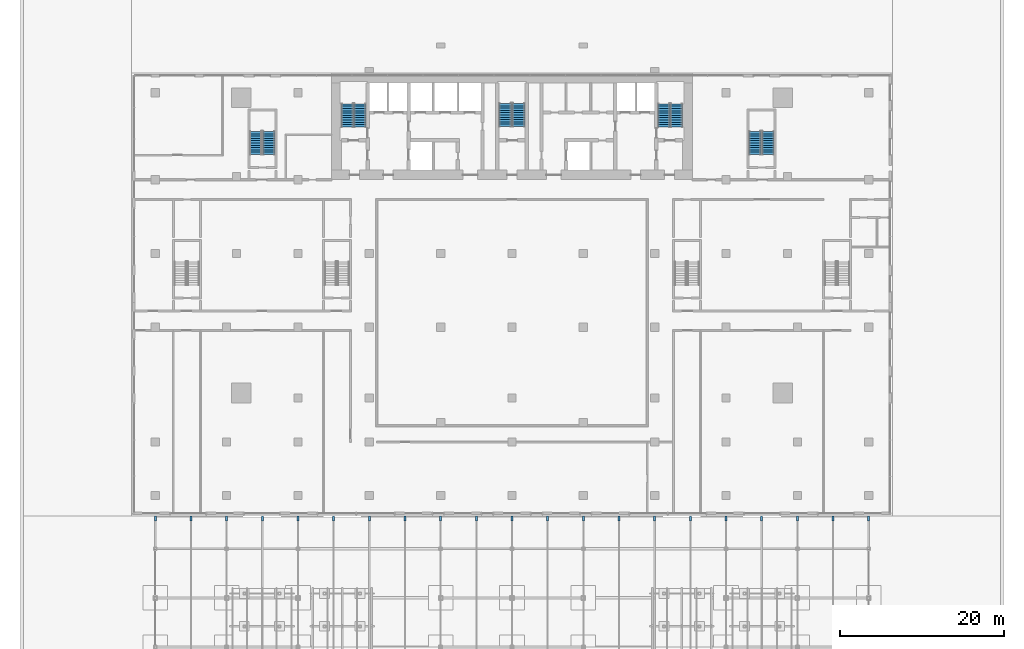
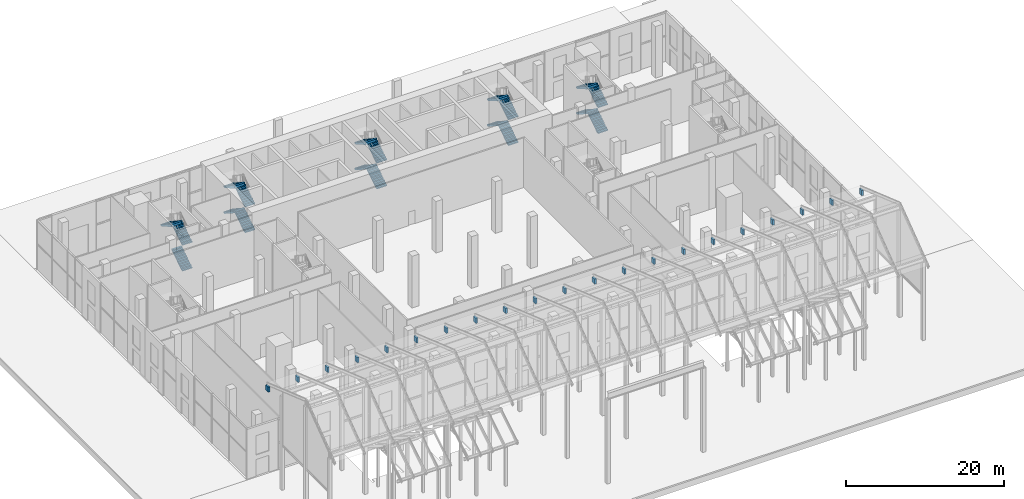
# One storey, part 28 of 31: 21 discrete accessories, 19 stair flights, 5 elements without a shape of their own.
"""IFC4 building model written with IfcOpenShell, lengths in metres."""

from ifc_helpers import new_model, si_unit, direction, frame, origin, origin_2d, place, context, subcontext, project, spatial, polyline, rectangle, outline, extrude, material, type_object, element, aggregate, save


model = new_model("IFC4")

# Units and contexts
model_context = context("Model", 3, precision=1e-05, world=origin(), true_north=direction((0.0, 1.0)))
body_context = subcontext(model_context, "Body", "Model", "MODEL_VIEW")
ifc_project = project(units=[si_unit("LENGTHUNIT", "METRE"), si_unit("AREAUNIT", "SQUARE_METRE"), si_unit("VOLUMEUNIT", "CUBIC_METRE"), si_unit("PLANEANGLEUNIT", "RADIAN"), si_unit("MASSUNIT", "GRAM", prefix="KILO")], contexts=[model_context])

# Site, building, storey
site_placement = place(None, origin())
site = spatial("IfcSite", under=ifc_project, at=site_placement, CompositionType="ELEMENT")
building_placement = place(site_placement, origin())
building = spatial("IfcBuilding", under=site, at=building_placement, Name="Bicima Exchange Tower", CompositionType="ELEMENT")
storey_placement = place(building_placement, origin())
storey = spatial("IfcBuildingStorey", under=building, at=storey_placement, Name="L00", CompositionType="ELEMENT", Elevation=0.0)

# Stair, stair flights
ifc_material_1 = material(Name="Concrete C50/60", Category="concrete")
stair_type_1 = type_object("IfcStairType", Name="Exit stair", PredefinedType="HALF_TURN_STAIR", material=ifc_material_1)
stair_1_placement = place(storey_placement, origin())
stair_1 = element("IfcStair", 1, at=stair_1_placement, inside=storey, type_object=stair_type_1, Name="L00 West exit stair", PredefinedType="HALF_TURN_STAIR")
stair_flight_type_1 = type_object("IfcStairFlightType", Name="Stair flight RC", PredefinedType="STRAIGHT", material=ifc_material_1)
stair_flight_1_placement = place(storey_placement, frame((-18.52490234375, -6.550048828125, 0.0), z_axis=(0.0, 0.0, 1.0), x_axis=(0.0, 1.0, 0.0)))
stair_flight_1 = element("IfcStairFlight", 2, at=stair_flight_1_placement, type_object=stair_flight_type_1, Name="ST-W flight 1", NumberOfRisers=11, NumberOfTreads=10, PredefinedType="STRAIGHT", RiserHeight=0.181818182, TreadLength=0.28, context=body_context, shape_type="SweptSolid", body=[
    extrude(outline(polyline([(0.0, 0.0), (0.0, 0.181884765625), (0.280029296875, 0.181884765625), (0.280029296875, 0.363525390625), (0.56005859375, 0.363525390625), (0.56005859375, 0.54541015625), (0.840087890625, 0.54541015625), (0.840087890625, 0.727294921875), (1.1201171875, 0.727294921875), (1.1201171875, 0.9091796875), (1.39990234375, 0.9091796875), (1.39990234375, 1.0908203125), (1.679931640625, 1.0908203125), (1.679931640625, 1.272705078125), (1.9599609375, 1.272705078125), (1.9599609375, 1.45458984375), (2.239990234375, 1.45458984375), (2.239990234375, 1.636474609375), (2.52001953125, 1.636474609375), (2.52001953125, 1.818115234375), (2.800048828125, 1.818115234375), (2.800048828125, 2.0), (2.800048828125, 1.639404296875), (0.275146484375, 0.0), (0.0, 0.0)])), frame((0.0, 0.72509765625, 0.0), z_axis=(0.0, -1.0, 0.0), x_axis=(1.0, 0.0, 0.0)), (0.0, 0.0, 1.0), 1.449951171875),
])
stair_flight_2_placement = place(storey_placement, frame((-20.074951171875, -3.75, 2.0), z_axis=(0.0, 0.0, 1.0), x_axis=(0.0, -1.0, 0.0)))
stair_flight_2 = element("IfcStairFlight", 3, at=stair_flight_2_placement, type_object=stair_flight_type_1, Name="ST-W flight 2", NumberOfRisers=11, NumberOfTreads=10, PredefinedType="STRAIGHT", RiserHeight=0.181818182, TreadLength=0.28, context=body_context, shape_type="SweptSolid", body=[
    extrude(outline(polyline([(0.0, 0.0), (0.0, 0.181884765625), (0.280029296875, 0.181884765625), (0.280029296875, 0.363525390625), (0.56005859375, 0.363525390625), (0.56005859375, 0.54541015625), (0.840087890625, 0.54541015625), (0.840087890625, 0.727294921875), (1.1201171875, 0.727294921875), (1.1201171875, 0.9091796875), (1.39990234375, 0.9091796875), (1.39990234375, 1.0908203125), (1.679931640625, 1.0908203125), (1.679931640625, 1.272705078125), (1.9599609375, 1.272705078125), (1.9599609375, 1.45458984375), (2.239990234375, 1.45458984375), (2.239990234375, 1.636474609375), (2.52001953125, 1.636474609375), (2.52001953125, 1.818115234375), (2.800048828125, 1.818115234375), (2.800048828125, 2.0), (2.800048828125, 1.639404296875), (0.275146484375, 0.0), (0.0, 0.0)])), frame((0.0, 0.72509765625, 0.0), z_axis=(0.0, -1.0, 0.0), x_axis=(1.0, 0.0, 0.0)), (0.0, 0.0, 1.0), 1.449951171875),
])
stair_flight_3_placement = place(storey_placement, frame((-18.52490234375, -6.550048828125, 4.0), z_axis=(0.0, 0.0, 1.0), x_axis=(0.0, 1.0, 0.0)))
stair_flight_3 = element("IfcStairFlight", 4, at=stair_flight_3_placement, type_object=stair_flight_type_1, Name="ST-W flight 3", NumberOfRisers=11, NumberOfTreads=10, PredefinedType="STRAIGHT", RiserHeight=0.181818182, TreadLength=0.28, context=body_context, shape_type="SweptSolid", body=[
    extrude(outline(polyline([(0.0, 0.0), (0.0, 0.181884765625), (0.280029296875, 0.181884765625), (0.280029296875, 0.363525390625), (0.56005859375, 0.363525390625), (0.56005859375, 0.54541015625), (0.840087890625, 0.54541015625), (0.840087890625, 0.727294921875), (1.1201171875, 0.727294921875), (1.1201171875, 0.9091796875), (1.39990234375, 0.9091796875), (1.39990234375, 1.0908203125), (1.679931640625, 1.0908203125), (1.679931640625, 1.272705078125), (1.9599609375, 1.272705078125), (1.9599609375, 1.45458984375), (2.239990234375, 1.45458984375), (2.239990234375, 1.636474609375), (2.52001953125, 1.636474609375), (2.52001953125, 1.818115234375), (2.800048828125, 1.818115234375), (2.800048828125, 2.0), (2.800048828125, 1.639404296875), (0.275146484375, 0.0), (0.0, 0.0)])), frame((0.0, 0.72509765625, 0.0), z_axis=(0.0, -1.0, 0.0), x_axis=(1.0, 0.0, 0.0)), (0.0, 0.0, 1.0), 1.449951171875),
])
stair_flight_4_placement = place(storey_placement, frame((-20.074951171875, -3.75, 6.0), z_axis=(0.0, 0.0, 1.0), x_axis=(0.0, -1.0, 0.0)))
stair_flight_4 = element("IfcStairFlight", 5, at=stair_flight_4_placement, type_object=stair_flight_type_1, Name="ST-W flight 4", NumberOfRisers=11, NumberOfTreads=10, PredefinedType="STRAIGHT", RiserHeight=0.181818182, TreadLength=0.28, context=body_context, shape_type="SweptSolid", body=[
    extrude(outline(polyline([(0.0, 0.0), (0.0, 0.181884765625), (0.280029296875, 0.181884765625), (0.280029296875, 0.363525390625), (0.56005859375, 0.363525390625), (0.56005859375, 0.54541015625), (0.840087890625, 0.54541015625), (0.840087890625, 0.727294921875), (1.1201171875, 0.727294921875), (1.1201171875, 0.9091796875), (1.39990234375, 0.9091796875), (1.39990234375, 1.0908203125), (1.679931640625, 1.0908203125), (1.679931640625, 1.272705078125), (1.9599609375, 1.272705078125), (1.9599609375, 1.45458984375), (2.239990234375, 1.45458984375), (2.239990234375, 1.636474609375), (2.52001953125, 1.636474609375), (2.52001953125, 1.818115234375), (2.800048828125, 1.818115234375), (2.81494140625, 1.818115234375), (2.81494140625, 1.46728515625), (0.275146484375, 0.0), (0.0, 0.0)])), frame((0.0, 0.72509765625, 0.0), z_axis=(0.0, -1.0, 0.0), x_axis=(1.0, 0.0, 0.0)), (0.0, 0.0, 1.0), 1.449951171875),
])
aggregate(stair_1, [stair_flight_1, stair_flight_2, stair_flight_3, stair_flight_4])

stair_2_placement = place(storey_placement, origin())
stair_2 = element("IfcStair", 6, at=stair_2_placement, inside=storey, type_object=stair_type_1, Name="L00 East exit stair", PredefinedType="HALF_TURN_STAIR")
stair_flight_5_placement = place(storey_placement, frame((20.074951171875, -6.550048828125, 0.0), z_axis=(0.0, 0.0, 1.0), x_axis=(0.0, 1.0, 0.0)))
stair_flight_5 = element("IfcStairFlight", 7, at=stair_flight_5_placement, type_object=stair_flight_type_1, Name="ST-E flight 1", NumberOfRisers=11, NumberOfTreads=10, PredefinedType="STRAIGHT", RiserHeight=0.181818182, TreadLength=0.28, context=body_context, shape_type="SweptSolid", body=[
    extrude(outline(polyline([(0.0, 0.0), (0.0, 0.181884765625), (0.280029296875, 0.181884765625), (0.280029296875, 0.363525390625), (0.56005859375, 0.363525390625), (0.56005859375, 0.54541015625), (0.840087890625, 0.54541015625), (0.840087890625, 0.727294921875), (1.1201171875, 0.727294921875), (1.1201171875, 0.9091796875), (1.39990234375, 0.9091796875), (1.39990234375, 1.0908203125), (1.679931640625, 1.0908203125), (1.679931640625, 1.272705078125), (1.9599609375, 1.272705078125), (1.9599609375, 1.45458984375), (2.239990234375, 1.45458984375), (2.239990234375, 1.636474609375), (2.52001953125, 1.636474609375), (2.52001953125, 1.818115234375), (2.800048828125, 1.818115234375), (2.800048828125, 2.0), (2.800048828125, 1.639404296875), (0.275146484375, 0.0), (0.0, 0.0)])), frame((0.0, 0.72509765625, 0.0), z_axis=(0.0, -1.0, 0.0), x_axis=(1.0, 0.0, 0.0)), (0.0, 0.0, 1.0), 1.449951171875),
])
stair_flight_6_placement = place(storey_placement, frame((18.52490234375, -3.75, 2.0), z_axis=(0.0, 0.0, 1.0), x_axis=(0.0, -1.0, 0.0)))
stair_flight_6 = element("IfcStairFlight", 8, at=stair_flight_6_placement, type_object=stair_flight_type_1, Name="ST-E flight 2", NumberOfRisers=11, NumberOfTreads=10, PredefinedType="STRAIGHT", RiserHeight=0.181818182, TreadLength=0.28, context=body_context, shape_type="SweptSolid", body=[
    extrude(outline(polyline([(0.0, 0.0), (0.0, 0.181884765625), (0.280029296875, 0.181884765625), (0.280029296875, 0.363525390625), (0.56005859375, 0.363525390625), (0.56005859375, 0.54541015625), (0.840087890625, 0.54541015625), (0.840087890625, 0.727294921875), (1.1201171875, 0.727294921875), (1.1201171875, 0.9091796875), (1.39990234375, 0.9091796875), (1.39990234375, 1.0908203125), (1.679931640625, 1.0908203125), (1.679931640625, 1.272705078125), (1.9599609375, 1.272705078125), (1.9599609375, 1.45458984375), (2.239990234375, 1.45458984375), (2.239990234375, 1.636474609375), (2.52001953125, 1.636474609375), (2.52001953125, 1.818115234375), (2.800048828125, 1.818115234375), (2.800048828125, 2.0), (2.800048828125, 1.639404296875), (0.275146484375, 0.0), (0.0, 0.0)])), frame((0.0, 0.72509765625, 0.0), z_axis=(0.0, -1.0, 0.0), x_axis=(1.0, 0.0, 0.0)), (0.0, 0.0, 1.0), 1.449951171875),
])
stair_flight_7_placement = place(storey_placement, frame((20.074951171875, -6.550048828125, 4.0), z_axis=(0.0, 0.0, 1.0), x_axis=(0.0, 1.0, 0.0)))
stair_flight_7 = element("IfcStairFlight", 9, at=stair_flight_7_placement, type_object=stair_flight_type_1, Name="ST-E flight 3", NumberOfRisers=11, NumberOfTreads=10, PredefinedType="STRAIGHT", RiserHeight=0.181818182, TreadLength=0.28, context=body_context, shape_type="SweptSolid", body=[
    extrude(outline(polyline([(0.0, 0.0), (0.0, 0.181884765625), (0.280029296875, 0.181884765625), (0.280029296875, 0.363525390625), (0.56005859375, 0.363525390625), (0.56005859375, 0.54541015625), (0.840087890625, 0.54541015625), (0.840087890625, 0.727294921875), (1.1201171875, 0.727294921875), (1.1201171875, 0.9091796875), (1.39990234375, 0.9091796875), (1.39990234375, 1.0908203125), (1.679931640625, 1.0908203125), (1.679931640625, 1.272705078125), (1.9599609375, 1.272705078125), (1.9599609375, 1.45458984375), (2.239990234375, 1.45458984375), (2.239990234375, 1.636474609375), (2.52001953125, 1.636474609375), (2.52001953125, 1.818115234375), (2.800048828125, 1.818115234375), (2.800048828125, 2.0), (2.800048828125, 1.639404296875), (0.275146484375, 0.0), (0.0, 0.0)])), frame((0.0, 0.72509765625, 0.0), z_axis=(0.0, -1.0, 0.0), x_axis=(1.0, 0.0, 0.0)), (0.0, 0.0, 1.0), 1.449951171875),
])
stair_flight_8_placement = place(storey_placement, frame((18.52490234375, -3.75, 6.0), z_axis=(0.0, 0.0, 1.0), x_axis=(0.0, -1.0, 0.0)))
stair_flight_8 = element("IfcStairFlight", 10, at=stair_flight_8_placement, type_object=stair_flight_type_1, Name="ST-E flight 4", NumberOfRisers=11, NumberOfTreads=10, PredefinedType="STRAIGHT", RiserHeight=0.181818182, TreadLength=0.28, context=body_context, shape_type="SweptSolid", body=[
    extrude(outline(polyline([(0.0, 0.0), (0.0, 0.181884765625), (0.280029296875, 0.181884765625), (0.280029296875, 0.363525390625), (0.56005859375, 0.363525390625), (0.56005859375, 0.54541015625), (0.840087890625, 0.54541015625), (0.840087890625, 0.727294921875), (1.1201171875, 0.727294921875), (1.1201171875, 0.9091796875), (1.39990234375, 0.9091796875), (1.39990234375, 1.0908203125), (1.679931640625, 1.0908203125), (1.679931640625, 1.272705078125), (1.9599609375, 1.272705078125), (1.9599609375, 1.45458984375), (2.239990234375, 1.45458984375), (2.239990234375, 1.636474609375), (2.52001953125, 1.636474609375), (2.52001953125, 1.818115234375), (2.800048828125, 1.818115234375), (2.81494140625, 1.818115234375), (2.81494140625, 1.46728515625), (0.275146484375, 0.0), (0.0, 0.0)])), frame((0.0, 0.72509765625, 0.0), z_axis=(0.0, -1.0, 0.0), x_axis=(1.0, 0.0, 0.0)), (0.0, 0.0, 1.0), 1.449951171875),
])
aggregate(stair_2, [stair_flight_5, stair_flight_6, stair_flight_7, stair_flight_8])

stair_3_placement = place(storey_placement, origin())
stair_3 = element("IfcStair", 11, at=stair_3_placement, inside=storey, type_object=stair_type_1, Name="L00 West end exit stair", PredefinedType="HALF_TURN_STAIR")
stair_flight_9_placement = place(storey_placement, frame((-29.64990234375, -9.925048828125, 0.0), z_axis=(0.0, 0.0, 1.0), x_axis=(0.0, 1.0, 0.0)))
stair_flight_9 = element("IfcStairFlight", 12, at=stair_flight_9_placement, type_object=stair_flight_type_1, Name="ST-WW flight 1", NumberOfRisers=11, NumberOfTreads=10, PredefinedType="STRAIGHT", RiserHeight=0.181818182, TreadLength=0.28, context=body_context, shape_type="SweptSolid", body=[
    extrude(outline(polyline([(0.0, 0.0), (0.0, 0.181884765625), (0.280029296875, 0.181884765625), (0.280029296875, 0.363525390625), (0.56005859375, 0.363525390625), (0.56005859375, 0.54541015625), (0.840087890625, 0.54541015625), (0.840087890625, 0.727294921875), (1.1201171875, 0.727294921875), (1.1201171875, 0.9091796875), (1.39990234375, 0.9091796875), (1.39990234375, 1.0908203125), (1.679931640625, 1.0908203125), (1.679931640625, 1.272705078125), (1.9599609375, 1.272705078125), (1.9599609375, 1.45458984375), (2.239990234375, 1.45458984375), (2.239990234375, 1.636474609375), (2.52001953125, 1.636474609375), (2.52001953125, 1.818115234375), (2.800048828125, 1.818115234375), (2.800048828125, 2.0), (2.800048828125, 1.639404296875), (0.275146484375, 0.0), (0.0, 0.0)])), frame((0.0, 0.72509765625, 0.0), z_axis=(0.0, -1.0, 0.0), x_axis=(1.0, 0.0, 0.0)), (0.0, 0.0, 1.0), 1.449951171875),
])
stair_flight_10_placement = place(storey_placement, frame((-29.64990234375, -9.925048828125, 4.0), z_axis=(0.0, 0.0, 1.0), x_axis=(0.0, 1.0, 0.0)))
stair_flight_10 = element("IfcStairFlight", 13, at=stair_flight_10_placement, type_object=stair_flight_type_1, Name="ST-WW flight 3", NumberOfRisers=11, NumberOfTreads=10, PredefinedType="STRAIGHT", RiserHeight=0.181818182, TreadLength=0.28, context=body_context, shape_type="SweptSolid", body=[
    extrude(outline(polyline([(0.0, 0.0), (0.0, 0.181884765625), (0.280029296875, 0.181884765625), (0.280029296875, 0.363525390625), (0.56005859375, 0.363525390625), (0.56005859375, 0.54541015625), (0.840087890625, 0.54541015625), (0.840087890625, 0.727294921875), (1.1201171875, 0.727294921875), (1.1201171875, 0.9091796875), (1.39990234375, 0.9091796875), (1.39990234375, 1.0908203125), (1.679931640625, 1.0908203125), (1.679931640625, 1.272705078125), (1.9599609375, 1.272705078125), (1.9599609375, 1.45458984375), (2.239990234375, 1.45458984375), (2.239990234375, 1.636474609375), (2.52001953125, 1.636474609375), (2.52001953125, 1.818115234375), (2.800048828125, 1.818115234375), (2.800048828125, 2.0), (2.800048828125, 1.639404296875), (0.275146484375, 0.0), (0.0, 0.0)])), frame((0.0, 0.72509765625, 0.0), z_axis=(0.0, -1.0, 0.0), x_axis=(1.0, 0.0, 0.0)), (0.0, 0.0, 1.0), 1.449951171875),
])
stair_flight_11_placement = place(storey_placement, frame((-31.25, -7.125, 6.0), z_axis=(0.0, 0.0, 1.0), x_axis=(0.0, -1.0, 0.0)))
stair_flight_11 = element("IfcStairFlight", 14, at=stair_flight_11_placement, type_object=stair_flight_type_1, Name="ST-WW flight 4", NumberOfRisers=11, NumberOfTreads=10, PredefinedType="STRAIGHT", RiserHeight=0.181818182, TreadLength=0.28, context=body_context, shape_type="SweptSolid", body=[
    extrude(outline(polyline([(0.0, 0.0), (0.0, 0.181884765625), (0.280029296875, 0.181884765625), (0.280029296875, 0.363525390625), (0.56005859375, 0.363525390625), (0.56005859375, 0.54541015625), (0.840087890625, 0.54541015625), (0.840087890625, 0.727294921875), (1.1201171875, 0.727294921875), (1.1201171875, 0.9091796875), (1.39990234375, 0.9091796875), (1.39990234375, 1.0908203125), (1.679931640625, 1.0908203125), (1.679931640625, 1.272705078125), (1.9599609375, 1.272705078125), (1.9599609375, 1.45458984375), (2.239990234375, 1.45458984375), (2.239990234375, 1.636474609375), (2.52001953125, 1.636474609375), (2.52001953125, 1.818115234375), (2.800048828125, 1.818115234375), (2.81494140625, 1.818115234375), (2.81494140625, 1.46728515625), (0.275146484375, 0.0), (0.0, 0.0)])), frame((0.0, 0.72509765625, 0.0), z_axis=(0.0, -1.0, 0.0), x_axis=(1.0, 0.0, 0.0)), (0.0, 0.0, 1.0), 1.449951171875),
])
aggregate(stair_3, [stair_flight_9, stair_flight_10, stair_flight_11])

stair_4_placement = place(storey_placement, origin())
stair_4 = element("IfcStair", 15, at=stair_4_placement, inside=storey, type_object=stair_type_1, Name="L00 East end exit stair", PredefinedType="HALF_TURN_STAIR")
stair_flight_12_placement = place(storey_placement, frame((31.25, -9.925048828125, 0.0), z_axis=(0.0, 0.0, 1.0), x_axis=(0.0, 1.0, 0.0)))
stair_flight_12 = element("IfcStairFlight", 16, at=stair_flight_12_placement, type_object=stair_flight_type_1, Name="ST-EE flight 1", NumberOfRisers=11, NumberOfTreads=10, PredefinedType="STRAIGHT", RiserHeight=0.181818182, TreadLength=0.28, context=body_context, shape_type="SweptSolid", body=[
    extrude(outline(polyline([(0.0, 0.0), (0.0, 0.181884765625), (0.280029296875, 0.181884765625), (0.280029296875, 0.363525390625), (0.56005859375, 0.363525390625), (0.56005859375, 0.54541015625), (0.840087890625, 0.54541015625), (0.840087890625, 0.727294921875), (1.1201171875, 0.727294921875), (1.1201171875, 0.9091796875), (1.39990234375, 0.9091796875), (1.39990234375, 1.0908203125), (1.679931640625, 1.0908203125), (1.679931640625, 1.272705078125), (1.9599609375, 1.272705078125), (1.9599609375, 1.45458984375), (2.239990234375, 1.45458984375), (2.239990234375, 1.636474609375), (2.52001953125, 1.636474609375), (2.52001953125, 1.818115234375), (2.800048828125, 1.818115234375), (2.800048828125, 2.0), (2.800048828125, 1.639404296875), (0.275146484375, 0.0), (0.0, 0.0)])), frame((0.0, 0.72509765625, 0.0), z_axis=(0.0, -1.0, 0.0), x_axis=(1.0, 0.0, 0.0)), (0.0, 0.0, 1.0), 1.449951171875),
])
stair_flight_13_placement = place(storey_placement, frame((29.64990234375, -7.125, 2.0), z_axis=(0.0, 0.0, 1.0), x_axis=(0.0, -1.0, 0.0)))
stair_flight_13 = element("IfcStairFlight", 17, at=stair_flight_13_placement, type_object=stair_flight_type_1, Name="ST-EE flight 2", NumberOfRisers=11, NumberOfTreads=10, PredefinedType="STRAIGHT", RiserHeight=0.181818182, TreadLength=0.28, context=body_context, shape_type="SweptSolid", body=[
    extrude(outline(polyline([(0.0, 0.0), (0.0, 0.181884765625), (0.280029296875, 0.181884765625), (0.280029296875, 0.363525390625), (0.56005859375, 0.363525390625), (0.56005859375, 0.54541015625), (0.840087890625, 0.54541015625), (0.840087890625, 0.727294921875), (1.1201171875, 0.727294921875), (1.1201171875, 0.9091796875), (1.39990234375, 0.9091796875), (1.39990234375, 1.0908203125), (1.679931640625, 1.0908203125), (1.679931640625, 1.272705078125), (1.9599609375, 1.272705078125), (1.9599609375, 1.45458984375), (2.239990234375, 1.45458984375), (2.239990234375, 1.636474609375), (2.52001953125, 1.636474609375), (2.52001953125, 1.818115234375), (2.800048828125, 1.818115234375), (2.800048828125, 2.0), (2.800048828125, 1.639404296875), (0.275146484375, 0.0), (0.0, 0.0)])), frame((0.0, 0.72509765625, 0.0), z_axis=(0.0, -1.0, 0.0), x_axis=(1.0, 0.0, 0.0)), (0.0, 0.0, 1.0), 1.449951171875),
])
stair_flight_14_placement = place(storey_placement, frame((31.25, -9.925048828125, 4.0), z_axis=(0.0, 0.0, 1.0), x_axis=(0.0, 1.0, 0.0)))
stair_flight_14 = element("IfcStairFlight", 18, at=stair_flight_14_placement, type_object=stair_flight_type_1, Name="ST-EE flight 3", NumberOfRisers=11, NumberOfTreads=10, PredefinedType="STRAIGHT", RiserHeight=0.181818182, TreadLength=0.28, context=body_context, shape_type="SweptSolid", body=[
    extrude(outline(polyline([(0.0, 0.0), (0.0, 0.181884765625), (0.280029296875, 0.181884765625), (0.280029296875, 0.363525390625), (0.56005859375, 0.363525390625), (0.56005859375, 0.54541015625), (0.840087890625, 0.54541015625), (0.840087890625, 0.727294921875), (1.1201171875, 0.727294921875), (1.1201171875, 0.9091796875), (1.39990234375, 0.9091796875), (1.39990234375, 1.0908203125), (1.679931640625, 1.0908203125), (1.679931640625, 1.272705078125), (1.9599609375, 1.272705078125), (1.9599609375, 1.45458984375), (2.239990234375, 1.45458984375), (2.239990234375, 1.636474609375), (2.52001953125, 1.636474609375), (2.52001953125, 1.818115234375), (2.800048828125, 1.818115234375), (2.800048828125, 2.0), (2.800048828125, 1.639404296875), (0.275146484375, 0.0), (0.0, 0.0)])), frame((0.0, 0.72509765625, 0.0), z_axis=(0.0, -1.0, 0.0), x_axis=(1.0, 0.0, 0.0)), (0.0, 0.0, 1.0), 1.449951171875),
])
stair_flight_15_placement = place(storey_placement, frame((29.64990234375, -7.125, 6.0), z_axis=(0.0, 0.0, 1.0), x_axis=(0.0, -1.0, 0.0)))
stair_flight_15 = element("IfcStairFlight", 19, at=stair_flight_15_placement, type_object=stair_flight_type_1, Name="ST-EE flight 4", NumberOfRisers=11, NumberOfTreads=10, PredefinedType="STRAIGHT", RiserHeight=0.181818182, TreadLength=0.28, context=body_context, shape_type="SweptSolid", body=[
    extrude(outline(polyline([(0.0, 0.0), (0.0, 0.181884765625), (0.280029296875, 0.181884765625), (0.280029296875, 0.363525390625), (0.56005859375, 0.363525390625), (0.56005859375, 0.54541015625), (0.840087890625, 0.54541015625), (0.840087890625, 0.727294921875), (1.1201171875, 0.727294921875), (1.1201171875, 0.9091796875), (1.39990234375, 0.9091796875), (1.39990234375, 1.0908203125), (1.679931640625, 1.0908203125), (1.679931640625, 1.272705078125), (1.9599609375, 1.272705078125), (1.9599609375, 1.45458984375), (2.239990234375, 1.45458984375), (2.239990234375, 1.636474609375), (2.52001953125, 1.636474609375), (2.52001953125, 1.818115234375), (2.800048828125, 1.818115234375), (2.81494140625, 1.818115234375), (2.81494140625, 1.46728515625), (0.275146484375, 0.0), (0.0, 0.0)])), frame((0.0, 0.72509765625, 0.0), z_axis=(0.0, -1.0, 0.0), x_axis=(1.0, 0.0, 0.0)), (0.0, 0.0, 1.0), 1.449951171875),
])
aggregate(stair_4, [stair_flight_12, stair_flight_13, stair_flight_14, stair_flight_15])

stair_type_2 = type_object("IfcStairType", Name="Exit stair 1500", PredefinedType="HALF_TURN_STAIR", material=ifc_material_1)
stair_5_placement = place(storey_placement, origin())
stair_5 = element("IfcStair", 20, at=stair_5_placement, inside=storey, type_object=stair_type_2, Name="L00 Central exit stair", PredefinedType="HALF_TURN_STAIR")
stair_flight_type_2 = type_object("IfcStairFlightType", Name="Stair flight RC 1500", PredefinedType="STRAIGHT", material=ifc_material_1)
stair_flight_16_placement = place(storey_placement, frame((0.824951171875, -6.5, 0.0), z_axis=(0.0, 0.0, 1.0), x_axis=(0.0, 1.0, 0.0)))
stair_flight_16 = element("IfcStairFlight", 21, at=stair_flight_16_placement, type_object=stair_flight_type_2, Name="ST-C flight 1", NumberOfRisers=11, NumberOfTreads=10, PredefinedType="STRAIGHT", RiserHeight=0.181818182, TreadLength=0.28, context=body_context, shape_type="SweptSolid", body=[
    extrude(outline(polyline([(0.0, 0.0), (0.0, 0.181884765625), (0.280029296875, 0.181884765625), (0.280029296875, 0.363525390625), (0.56005859375, 0.363525390625), (0.56005859375, 0.54541015625), (0.840087890625, 0.54541015625), (0.840087890625, 0.727294921875), (1.1201171875, 0.727294921875), (1.1201171875, 0.9091796875), (1.39990234375, 0.9091796875), (1.39990234375, 1.0908203125), (1.679931640625, 1.0908203125), (1.679931640625, 1.272705078125), (1.9599609375, 1.272705078125), (1.9599609375, 1.45458984375), (2.239990234375, 1.45458984375), (2.239990234375, 1.636474609375), (2.52001953125, 1.636474609375), (2.52001953125, 1.818115234375), (2.800048828125, 1.818115234375), (2.800048828125, 2.0), (2.800048828125, 1.639404296875), (0.275146484375, 0.0), (0.0, 0.0)])), frame((0.0, 0.75, 0.0), z_axis=(0.0, -1.0, 0.0), x_axis=(1.0, 0.0, 0.0)), (0.0, 0.0, 1.0), 1.5),
])
stair_flight_17_placement = place(storey_placement, frame((-0.824951171875, -3.699951171875, 2.0), z_axis=(0.0, 0.0, 1.0), x_axis=(0.0, -1.0, 0.0)))
stair_flight_17 = element("IfcStairFlight", 22, at=stair_flight_17_placement, type_object=stair_flight_type_2, Name="ST-C flight 2", NumberOfRisers=11, NumberOfTreads=10, PredefinedType="STRAIGHT", RiserHeight=0.181818182, TreadLength=0.28, context=body_context, shape_type="SweptSolid", body=[
    extrude(outline(polyline([(0.0, 0.0), (0.0, 0.181884765625), (0.280029296875, 0.181884765625), (0.280029296875, 0.363525390625), (0.56005859375, 0.363525390625), (0.56005859375, 0.54541015625), (0.840087890625, 0.54541015625), (0.840087890625, 0.727294921875), (1.1201171875, 0.727294921875), (1.1201171875, 0.9091796875), (1.39990234375, 0.9091796875), (1.39990234375, 1.0908203125), (1.679931640625, 1.0908203125), (1.679931640625, 1.272705078125), (1.9599609375, 1.272705078125), (1.9599609375, 1.45458984375), (2.239990234375, 1.45458984375), (2.239990234375, 1.636474609375), (2.52001953125, 1.636474609375), (2.52001953125, 1.818115234375), (2.800048828125, 1.818115234375), (2.800048828125, 2.0), (2.800048828125, 1.639404296875), (0.275146484375, 0.0), (0.0, 0.0)])), frame((0.0, 0.75, 0.0), z_axis=(0.0, -1.0, 0.0), x_axis=(1.0, 0.0, 0.0)), (0.0, 0.0, 1.0), 1.5),
])
stair_flight_18_placement = place(storey_placement, frame((0.824951171875, -6.5, 4.0), z_axis=(0.0, 0.0, 1.0), x_axis=(0.0, 1.0, 0.0)))
stair_flight_18 = element("IfcStairFlight", 23, at=stair_flight_18_placement, type_object=stair_flight_type_2, Name="ST-C flight 3", NumberOfRisers=11, NumberOfTreads=10, PredefinedType="STRAIGHT", RiserHeight=0.181818182, TreadLength=0.28, context=body_context, shape_type="SweptSolid", body=[
    extrude(outline(polyline([(0.0, 0.0), (0.0, 0.181884765625), (0.280029296875, 0.181884765625), (0.280029296875, 0.363525390625), (0.56005859375, 0.363525390625), (0.56005859375, 0.54541015625), (0.840087890625, 0.54541015625), (0.840087890625, 0.727294921875), (1.1201171875, 0.727294921875), (1.1201171875, 0.9091796875), (1.39990234375, 0.9091796875), (1.39990234375, 1.0908203125), (1.679931640625, 1.0908203125), (1.679931640625, 1.272705078125), (1.9599609375, 1.272705078125), (1.9599609375, 1.45458984375), (2.239990234375, 1.45458984375), (2.239990234375, 1.636474609375), (2.52001953125, 1.636474609375), (2.52001953125, 1.818115234375), (2.800048828125, 1.818115234375), (2.800048828125, 2.0), (2.800048828125, 1.639404296875), (0.275146484375, 0.0), (0.0, 0.0)])), frame((0.0, 0.75, 0.0), z_axis=(0.0, -1.0, 0.0), x_axis=(1.0, 0.0, 0.0)), (0.0, 0.0, 1.0), 1.5),
])
stair_flight_19_placement = place(storey_placement, frame((-0.824951171875, -3.699951171875, 6.0), z_axis=(0.0, 0.0, 1.0), x_axis=(0.0, -1.0, 0.0)))
stair_flight_19 = element("IfcStairFlight", 24, at=stair_flight_19_placement, type_object=stair_flight_type_2, Name="ST-C flight 4", NumberOfRisers=11, NumberOfTreads=10, PredefinedType="STRAIGHT", RiserHeight=0.181818182, TreadLength=0.28, context=body_context, shape_type="SweptSolid", body=[
    extrude(outline(polyline([(0.0, 0.0), (0.0, 0.181884765625), (0.280029296875, 0.181884765625), (0.280029296875, 0.363525390625), (0.56005859375, 0.363525390625), (0.56005859375, 0.54541015625), (0.840087890625, 0.54541015625), (0.840087890625, 0.727294921875), (1.1201171875, 0.727294921875), (1.1201171875, 0.9091796875), (1.39990234375, 0.9091796875), (1.39990234375, 1.0908203125), (1.679931640625, 1.0908203125), (1.679931640625, 1.272705078125), (1.9599609375, 1.272705078125), (1.9599609375, 1.45458984375), (2.239990234375, 1.45458984375), (2.239990234375, 1.636474609375), (2.52001953125, 1.636474609375), (2.52001953125, 1.818115234375), (2.800048828125, 1.818115234375), (2.81494140625, 1.818115234375), (2.81494140625, 1.46728515625), (0.275146484375, 0.0), (0.0, 0.0)])), frame((0.0, 0.75, 0.0), z_axis=(0.0, -1.0, 0.0), x_axis=(1.0, 0.0, 0.0)), (0.0, 0.0, 1.0), 1.5),
])
aggregate(stair_5, [stair_flight_16, stair_flight_17, stair_flight_18, stair_flight_19])

# Discrete accessories
ifc_material_2 = material(Name="Steel ASTM A572 Gr 50", Category="steel")
discrete_accessory_type = type_object("IfcDiscreteAccessoryType", Name="Portico tie bracket", PredefinedType="BRACKET", material=ifc_material_2)
for number, where, z_axis, x_axis, name in (
    (25, (-43.5, -54.300048828125, 12.986328125), (0.0, 0.0, 1.0), (1.0, 0.0, 0.0), "Portico tie bracket"),
    (26, (-39.14990234375, -54.300048828125, 12.986328125), (0.0, 0.0, 1.0), (1.0, 0.0, 0.0), "Portico tie bracket"),
    (27, (-34.800048828125, -54.300048828125, 12.986328125), (0.0, 0.0, 1.0), (1.0, 0.0, 0.0), "Portico tie bracket"),
    (28, (-30.449951171875, -54.300048828125, 12.986328125), (0.0, 0.0, 1.0), (1.0, 0.0, 0.0), "Portico tie bracket"),
    (29, (-26.10009765625, -54.300048828125, 12.986328125), (0.0, 0.0, 1.0), (1.0, 0.0, 0.0), "Portico tie bracket"),
    (30, (-21.75, -54.300048828125, 12.986328125), (0.0, 0.0, 1.0), (1.0, 0.0, 0.0), "Portico tie bracket"),
    (31, (-17.39990234375, -54.300048828125, 12.986328125), (0.0, 0.0, 1.0), (1.0, 0.0, 0.0), "Portico tie bracket"),
    (32, (-13.050048828125, -54.300048828125, 12.986328125), (0.0, 0.0, 1.0), (1.0, 0.0, 0.0), "Portico tie bracket"),
    (33, (-8.699951171875, -54.300048828125, 12.986328125), (0.0, 0.0, 1.0), (1.0, 0.0, 0.0), "Portico tie bracket"),
    (34, (-4.35009765625, -54.300048828125, 12.986328125), (0.0, 0.0, 1.0), (1.0, 0.0, 0.0), "Portico tie bracket"),
    (35, (0.0, -54.300048828125, 12.986328125), (0.0, 0.0, 1.0), (1.0, 0.0, 0.0), "Portico tie bracket"),
    (36, (4.35009765625, -54.300048828125, 12.986328125), (0.0, 0.0, 1.0), (1.0, 0.0, 0.0), "Portico tie bracket"),
    (37, (8.699951171875, -54.300048828125, 12.986328125), (0.0, 0.0, 1.0), (1.0, 0.0, 0.0), "Portico tie bracket"),
    (38, (13.050048828125, -54.300048828125, 12.986328125), (0.0, 0.0, 1.0), (1.0, 0.0, 0.0), "Portico tie bracket"),
    (39, (17.39990234375, -54.300048828125, 12.986328125), (0.0, 0.0, 1.0), (1.0, 0.0, 0.0), "Portico tie bracket"),
    (40, (21.75, -54.300048828125, 12.986328125), (0.0, 0.0, 1.0), (1.0, 0.0, 0.0), "Portico tie bracket"),
    (41, (26.10009765625, -54.300048828125, 12.986328125), (0.0, 0.0, 1.0), (1.0, 0.0, 0.0), "Portico tie bracket"),
    (42, (30.449951171875, -54.300048828125, 12.986328125), (0.0, 0.0, 1.0), (1.0, 0.0, 0.0), "Portico tie bracket"),
    (43, (34.800048828125, -54.300048828125, 12.986328125), (0.0, 0.0, 1.0), (1.0, 0.0, 0.0), "Portico tie bracket"),
    (44, (39.14990234375, -54.300048828125, 12.986328125), (0.0, 0.0, 1.0), (1.0, 0.0, 0.0), "Portico tie bracket"),
    (45, (43.5, -54.300048828125, 12.986328125), (0.0, 0.0, 1.0), (1.0, 0.0, 0.0), "Portico tie bracket"),
):
    element("IfcDiscreteAccessory", number, at=place(storey_placement, frame(where, z_axis=z_axis, x_axis=x_axis)), inside=storey, type_object=discrete_accessory_type, Name=name, PredefinedType="BRACKET", context=body_context, shape_type="SweptSolid", body=[
        extrude(rectangle(XDim=0.25, YDim=0.60009765625, at=origin_2d()), origin(), (0.0, 0.0, 1.0), 0.800048828125),
    ])

save(model, "model.ifc")
